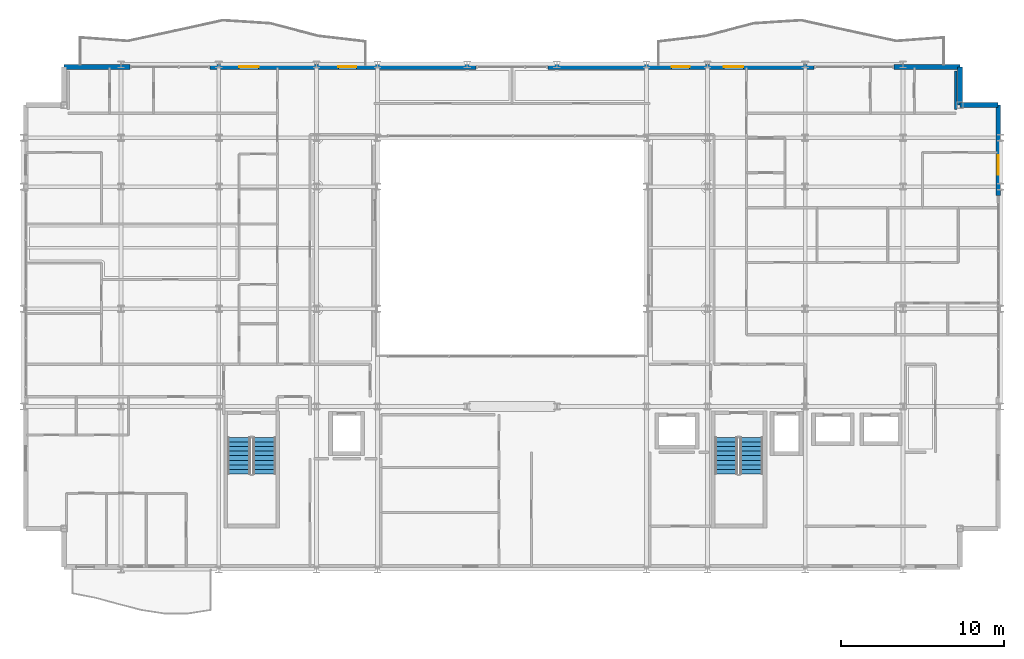
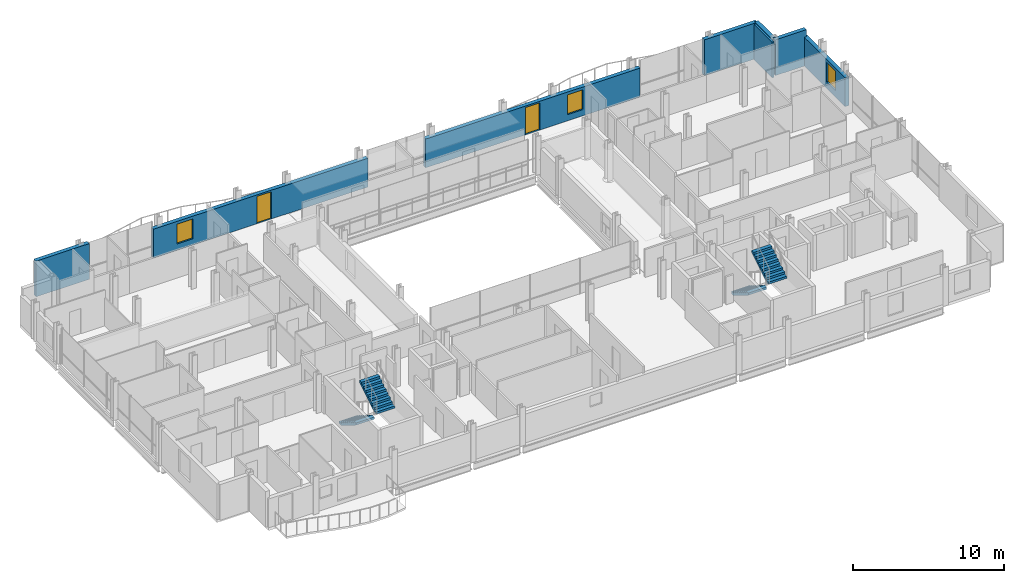
# One storey, part 38 of 41: 8 walls, 4 stair flights, 3 windows, 2 doors, 5 openings, 2 elements without a shape of their own.
"""IFC4 building model written with IfcOpenShell, lengths in metres."""

from ifc_helpers import new_model, si_unit, direction, frame, frame_2d, origin, place, context, subcontext, project, spatial, polyline, rectangle, outline, extrude, material, layer, layer_set, type_object, element, fill, aggregate, save


model = new_model("IFC4")

# Units and contexts
model_context = context("Model", 3, precision=1e-05, world=origin(), true_north=direction((0.0, 1.0)))
body_context = subcontext(model_context, "Body", "Model", "MODEL_VIEW")
ifc_project = project(units=[si_unit("LENGTHUNIT", "METRE"), si_unit("AREAUNIT", "SQUARE_METRE"), si_unit("VOLUMEUNIT", "CUBIC_METRE"), si_unit("PLANEANGLEUNIT", "RADIAN"), si_unit("MASSUNIT", "GRAM", prefix="KILO")], contexts=[model_context])

# Site, building, storey
site_placement = place(None, origin())
site = spatial("IfcSite", under=ifc_project, at=site_placement, CompositionType="ELEMENT")
building_placement = place(site_placement, origin())
building = spatial("IfcBuilding", under=site, at=building_placement, Name="Brevholm Reach", CompositionType="ELEMENT")
storey_placement = place(building_placement, frame((0.0, 0.0, 163.5)))
storey = spatial("IfcBuildingStorey", under=building, at=storey_placement, Name="L49", CompositionType="ELEMENT", Elevation=163.5)

# Walls
ifc_material_1 = material(Name="Concrete C40/50", Category="concrete")
ifc_layer_1 = layer(ifc_material_1, 0.300048828125)
ifc_layer_set_1 = layer_set([ifc_layer_1], Name="Concrete C40/50")
wall_type_1 = type_object("IfcWallType", Name="WAL-EXT-300", PredefinedType="STANDARD", material=ifc_layer_set_1)
for number, where, z_axis, x_axis, name in (
    (1, (59.85009765625, 28.5, 0.0), (0.0, 0.0, 1.0), (-1.0, 0.0, 0.0), "L49 Facade Wall WAL-L49-CNE1"),
    (2, (57.5, 28.5, 0.0), (0.0, 0.0, 1.0), (0.0, 1.0, 0.0), "L49 Facade Wall WAL-L49-CNE2"),
):
    element("IfcWall", number, at=place(storey_placement, frame(where, z_axis=z_axis, x_axis=x_axis)), inside=storey, type_object=wall_type_1, Name=name, PredefinedType="STANDARD", context=body_context, shape_type="SweptSolid", body=[
        extrude(rectangle(XDim=2.35009765625, YDim=0.300048828125, at=frame_2d((1.175048828125, 0.0))), origin(), (0.0, 0.0, 1.0), 2.8798828125),
    ])

# Wall, opening, window
wall_1_placement = place(storey_placement, frame((59.85009765625, 22.949951171875, 0.0), z_axis=(0.0, 0.0, 1.0), x_axis=(0.0, 1.0, 0.0)))
wall_1 = element("IfcWall", 3, at=wall_1_placement, inside=storey, type_object=wall_type_1, Name="L49 Facade Wall WAL-L49-E-N", PredefinedType="STANDARD", context=body_context, shape_type="SweptSolid", body=[
    extrude(rectangle(XDim=5.550048828125, YDim=0.300048828125, at=frame_2d((2.77490234375, 0.0))), origin(), (0.0, 0.0, 1.0), 2.322021484375),
])
opening_1_placement = place(wall_1_placement, frame((1.27001953125, 0.0, 0.501953125)))
opening_1 = element("IfcOpeningElement", 4, at=opening_1_placement, cuts=wall_1, Name="Opening WN-08", PredefinedType="OPENING", context=body_context, shape_type="SweptSolid", body=[
    extrude(rectangle(XDim=1.199951171875, YDim=1.60009765625, at=frame_2d((0.60009765625, 0.800048828125))), frame((0.0, 0.159912109375, 0.0), z_axis=(0.0, -1.0, 0.0), x_axis=(1.0, 0.0, 0.0)), (0.0, 0.0, 1.0), 0.320068359375),
])
ifc_material_2 = material(Name="Dark Anodised Aluminium and Solar-Control IGU Glass", Category="aluminium")
window_type = type_object("IfcWindowType", Name="WIN-RES-1200", PartitioningType="SINGLE_PANEL", PredefinedType="WINDOW", material=ifc_material_2)
window_1_placement = place(opening_1_placement, origin())
window_1 = element("IfcWindow", 5, at=window_1_placement, inside=storey, type_object=window_type, Name="L49 Window WIN-L49-EN-1", OverallHeight=1.60009765625, OverallWidth=1.199951171875, PartitioningType="SINGLE_PANEL", PredefinedType="WINDOW", context=body_context, shape_type="SweptSolid", body=[
    extrude(rectangle(XDim=1.199951171875, YDim=1.60009765625, at=frame_2d((0.60009765625, 0.800048828125))), frame((0.0, 0.030029296875, 0.0), z_axis=(0.0, -1.0, 0.0), x_axis=(1.0, 0.0, 0.0)), (0.0, 0.0, 1.0), 0.06005859375),
])
fill(opening_1, window_1)

# Walls
for number, where, z_axis, x_axis, name in (
    (6, (2.5, 30.85009765625, 0.0), (0.0, 0.0, 1.0), (1.0, 0.0, 0.0), "L49 Facade Wall WAL-L49-NP-W0"),
    (7, (53.449951171875, 30.85009765625, 0.0), (0.0, 0.0, 1.0), (1.0, 0.0, 0.0), "L49 Facade Wall WAL-L49-NP-E0"),
):
    element("IfcWall", number, at=place(storey_placement, frame(where, z_axis=z_axis, x_axis=x_axis)), inside=storey, type_object=wall_type_1, Name=name, PredefinedType="STANDARD", context=body_context, shape_type="SweptSolid", body=[
        extrude(rectangle(XDim=4.050048828125, YDim=0.300048828125, at=frame_2d((2.02490234375, 0.0))), origin(), (0.0, 0.0, 1.0), 2.8798828125),
    ])

# Wall, openings, door, window
wall_2_placement = place(storey_placement, frame((11.449951171875, 30.85009765625, 0.0), z_axis=(0.0, 0.0, 1.0), x_axis=(1.0, 0.0, 0.0)))
wall_2 = element("IfcWall", 8, at=wall_2_placement, inside=storey, type_object=wall_type_1, Name="L49 Facade Wall WAL-L49-NP-WL", PredefinedType="STANDARD", context=body_context, shape_type="SweptSolid", body=[
    extrude(rectangle(XDim=16.35009765625, YDim=0.300048828125, at=frame_2d((8.175048828125, 0.0))), origin(), (0.0, 0.0, 1.0), 2.322021484375),
])
opening_2_placement = place(wall_2_placement, frame((7.89794921875, 0.0, 0.0)))
opening_2 = element("IfcOpeningElement", 9, at=opening_2_placement, cuts=wall_2, Name="Opening BD-01", PredefinedType="OPENING", context=body_context, shape_type="SweptSolid", body=[
    extrude(rectangle(XDim=1.10009765625, YDim=2.199951171875, at=frame_2d((0.550048828125, 1.10009765625))), frame((0.0, 0.159912109375, 0.0), z_axis=(0.0, -1.0, 0.0), x_axis=(1.0, 0.0, 0.0)), (0.0, 0.0, 1.0), 0.320068359375),
])
opening_3_placement = place(wall_2_placement, frame((1.800048828125, 0.0, 0.501953125)))
opening_3 = element("IfcOpeningElement", 10, at=opening_3_placement, cuts=wall_2, Name="Opening WN-08", PredefinedType="OPENING", context=body_context, shape_type="SweptSolid", body=[
    extrude(rectangle(XDim=1.199951171875, YDim=1.60009765625, at=frame_2d((0.60009765625, 0.800048828125))), frame((0.0, 0.159912109375, 0.0), z_axis=(0.0, -1.0, 0.0), x_axis=(1.0, 0.0, 0.0)), (0.0, 0.0, 1.0), 0.320068359375),
])
ifc_material_3 = material(Name="Dark Anodised Aluminium and Triple-Glazed Glass", Category="aluminium")
door_type = type_object("IfcDoorType", Name="DOR-BALC-1100", OperationType="NOTDEFINED", PredefinedType="DOOR", material=ifc_material_3)
door_1_placement = place(opening_2_placement, origin())
door_1 = element("IfcDoor", 11, at=door_1_placement, inside=storey, type_object=door_type, Name="L49 Exterior Door DOR-L49-BL-NW", OperationType="SINGLE_SWING_RIGHT", OverallHeight=2.199951171875, OverallWidth=1.10009765625, PredefinedType="DOOR", context=body_context, shape_type="SweptSolid", body=[
    extrude(rectangle(XDim=1.10009765625, YDim=2.199951171875, at=frame_2d((0.550048828125, 1.10009765625))), frame((0.0, 0.02490234375, 0.0), z_axis=(0.0, -1.0, 0.0), x_axis=(1.0, 0.0, 0.0)), (0.0, 0.0, 1.0), 0.050048828125),
])
fill(opening_2, door_1)
window_2_placement = place(opening_3_placement, origin())
window_2 = element("IfcWindow", 12, at=window_2_placement, inside=storey, type_object=window_type, Name="L49 Window WIN-L49-NP-WL1", OverallHeight=1.60009765625, OverallWidth=1.199951171875, PartitioningType="SINGLE_PANEL", PredefinedType="WINDOW", context=body_context, shape_type="SweptSolid", body=[
    extrude(rectangle(XDim=1.199951171875, YDim=1.60009765625, at=frame_2d((0.60009765625, 0.800048828125))), frame((0.0, 0.030029296875, 0.0), z_axis=(0.0, -1.0, 0.0), x_axis=(1.0, 0.0, 0.0)), (0.0, 0.0, 1.0), 0.06005859375),
])
fill(opening_3, window_2)

wall_3_placement = place(storey_placement, frame((32.199951171875, 30.85009765625, 0.0), z_axis=(0.0, 0.0, 1.0), x_axis=(1.0, 0.0, 0.0)))
wall_3 = element("IfcWall", 13, at=wall_3_placement, inside=storey, type_object=wall_type_1, Name="L49 Facade Wall WAL-L49-NP-ER", PredefinedType="STANDARD", context=body_context, shape_type="SweptSolid", body=[
    extrude(rectangle(XDim=16.35009765625, YDim=0.300048828125, at=frame_2d((8.175048828125, 0.0))), origin(), (0.0, 0.0, 1.0), 2.322021484375),
])
opening_4_placement = place(wall_3_placement, frame((7.60009765625, 0.0, 0.0)))
opening_4 = element("IfcOpeningElement", 14, at=opening_4_placement, cuts=wall_3, Name="Opening BD-01", PredefinedType="OPENING", context=body_context, shape_type="SweptSolid", body=[
    extrude(rectangle(XDim=1.10009765625, YDim=2.199951171875, at=frame_2d((0.550048828125, 1.10009765625))), frame((0.0, 0.159912109375, 0.0), z_axis=(0.0, -1.0, 0.0), x_axis=(1.0, 0.0, 0.0)), (0.0, 0.0, 1.0), 0.320068359375),
])
opening_5_placement = place(wall_3_placement, frame((10.800048828125, 0.0, 0.501953125)))
opening_5 = element("IfcOpeningElement", 15, at=opening_5_placement, cuts=wall_3, Name="Opening WN-08", PredefinedType="OPENING", context=body_context, shape_type="SweptSolid", body=[
    extrude(rectangle(XDim=1.199951171875, YDim=1.60009765625, at=frame_2d((0.60009765625, 0.800048828125))), frame((0.0, 0.159912109375, 0.0), z_axis=(0.0, -1.0, 0.0), x_axis=(1.0, 0.0, 0.0)), (0.0, 0.0, 1.0), 0.320068359375),
])
door_2_placement = place(opening_4_placement, origin())
door_2 = element("IfcDoor", 16, at=door_2_placement, inside=storey, type_object=door_type, Name="L49 Exterior Door DOR-L49-BL-NE", OperationType="SINGLE_SWING_LEFT", OverallHeight=2.199951171875, OverallWidth=1.10009765625, PredefinedType="DOOR", context=body_context, shape_type="SweptSolid", body=[
    extrude(rectangle(XDim=1.10009765625, YDim=2.199951171875, at=frame_2d((0.550048828125, 1.10009765625))), frame((0.0, 0.02490234375, 0.0), z_axis=(0.0, -1.0, 0.0), x_axis=(1.0, 0.0, 0.0)), (0.0, 0.0, 1.0), 0.050048828125),
])
fill(opening_4, door_2)
window_3_placement = place(opening_5_placement, origin())
window_3 = element("IfcWindow", 17, at=window_3_placement, inside=storey, type_object=window_type, Name="L49 Window WIN-L49-NP-ER1", OverallHeight=1.60009765625, OverallWidth=1.199951171875, PartitioningType="SINGLE_PANEL", PredefinedType="WINDOW", context=body_context, shape_type="SweptSolid", body=[
    extrude(rectangle(XDim=1.199951171875, YDim=1.60009765625, at=frame_2d((0.60009765625, 0.800048828125))), frame((0.0, 0.030029296875, 0.0), z_axis=(0.0, -1.0, 0.0), x_axis=(1.0, 0.0, 0.0)), (0.0, 0.0, 1.0), 0.06005859375),
])
fill(opening_5, window_3)

# Wall
ifc_material_4 = material(Name="Twin-Stud Acoustic Fire-Rated Gypsum Partition 140 mm", Category="gypsum")
ifc_layer_2 = layer(ifc_material_4, 0.139892578125)
ifc_layer_set_2 = layer_set([ifc_layer_2], Name="Twin-Stud Acoustic Fire-Rated Gypsum Partition 140 mm")
wall_type_2 = type_object("IfcWallType", Name="WAL-PRT-140", PredefinedType="PARTITIONING", material=ifc_layer_set_2)
wall_4_placement = place(storey_placement, frame((57.25, 28.239990234375, 0.0), z_axis=(0.0, 0.0, 1.0), x_axis=(0.0, 1.0, 0.0)))
element("IfcWall", 18, at=wall_4_placement, inside=storey, type_object=wall_type_2, Name="L49 Internal Partition 133", PredefinedType="PARTITIONING", context=body_context, shape_type="SweptSolid", body=[
    extrude(rectangle(XDim=2.3701171875, YDim=0.139892578125, at=frame_2d((1.18505859375, 0.0))), origin(), (0.0, 0.0, 1.0), 2.8798828125),
])

# Stair, stair flights
ifc_material_5 = material(Name="Precast Concrete C40/50", Category="concrete")
stair_type = type_object("IfcStairType", Name="STR-ESC-1400", PredefinedType="DOUBLE_RETURN_STAIR", material=ifc_material_5)
stair_1_placement = place(storey_placement, origin())
stair_1 = element("IfcStair", 19, at=stair_1_placement, inside=storey, type_object=stair_type, Name="L49 ST-1", PredefinedType="DOUBLE_RETURN_STAIR")
ifc_material_6 = material(Name="Precast Concrete C40/50", Category="concrete")
ifc_layer_3 = layer(ifc_material_6, 0.18505859375)
ifc_layer_set_3 = layer_set([ifc_layer_3], Name="Precast Concrete C40/50")
stair_flight_type = type_object("IfcStairFlightType", Name="STF-PRC-185", PredefinedType="STRAIGHT", material=ifc_layer_set_3)
stair_flight_1_placement = place(storey_placement, frame((13.25, 8.10009765625, 0.0), z_axis=(0.0, 0.0, 1.0), x_axis=(0.0, -1.0, 0.0)))
stair_flight_1 = element("IfcStairFlight", 20, at=stair_flight_1_placement, type_object=stair_flight_type, Name="ST-1 flight 1", NumberOfRisers=9, NumberOfTreads=8, PredefinedType="STRAIGHT", RiserHeight=0.172222222, TreadLength=0.28, context=body_context, shape_type="SweptSolid", body=[
    extrude(outline(polyline([(0.0, 0.0), (0.0, 0.172119140625), (0.280029296875, 0.172119140625), (0.280029296875, 0.344482421875), (0.56005859375, 0.344482421875), (0.56005859375, 0.5166015625), (0.840087890625, 0.5166015625), (0.840087890625, 0.68896484375), (1.1201171875, 0.68896484375), (1.1201171875, 0.861083984375), (1.39990234375, 0.861083984375), (1.39990234375, 1.033447265625), (1.679931640625, 1.033447265625), (1.679931640625, 1.20556640625), (1.9599609375, 1.20556640625), (1.9599609375, 1.377685546875), (2.239990234375, 1.377685546875), (2.239990234375, 1.550048828125), (2.239990234375, 1.201904296875), (0.2861328125, 0.0), (0.0, 0.0)])), frame((0.0, 0.699951171875, 0.0), z_axis=(0.0, -1.0, 0.0), x_axis=(1.0, 0.0, 0.0)), (0.0, 0.0, 1.0), 1.39990234375),
])
stair_flight_2_placement = place(storey_placement, frame((14.800048828125, 5.860107421875, 1.550048828125), z_axis=(0.0, 0.0, 1.0), x_axis=(0.0, 1.0, 0.0)))
stair_flight_2 = element("IfcStairFlight", 21, at=stair_flight_2_placement, type_object=stair_flight_type, Name="ST-1 flight 2", NumberOfRisers=9, NumberOfTreads=8, PredefinedType="STRAIGHT", RiserHeight=0.172222222, TreadLength=0.28, context=body_context, shape_type="SweptSolid", body=[
    extrude(outline(polyline([(0.0, 0.0), (0.0, 0.172119140625), (0.280029296875, 0.172119140625), (0.280029296875, 0.344482421875), (0.56005859375, 0.344482421875), (0.56005859375, 0.5166015625), (0.840087890625, 0.5166015625), (0.840087890625, 0.68896484375), (1.1201171875, 0.68896484375), (1.1201171875, 0.861083984375), (1.39990234375, 0.861083984375), (1.39990234375, 1.033447265625), (1.679931640625, 1.033447265625), (1.679931640625, 1.20556640625), (1.9599609375, 1.20556640625), (1.9599609375, 1.377685546875), (2.239990234375, 1.377685546875), (2.239990234375, 1.550048828125), (2.239990234375, 1.201904296875), (0.2861328125, 0.0), (0.0, 0.0)])), frame((0.0, 0.699951171875, 0.0), z_axis=(0.0, -1.0, 0.0), x_axis=(1.0, 0.0, 0.0)), (0.0, 0.0, 1.0), 1.39990234375),
])
aggregate(stair_1, [stair_flight_1, stair_flight_2])

stair_2_placement = place(storey_placement, origin())
stair_2 = element("IfcStair", 22, at=stair_2_placement, inside=storey, type_object=stair_type, Name="L49 ST-2", PredefinedType="DOUBLE_RETURN_STAIR")
stair_flight_3_placement = place(storey_placement, frame((43.14990234375, 8.10009765625, 0.0), z_axis=(0.0, 0.0, 1.0), x_axis=(0.0, -1.0, 0.0)))
stair_flight_3 = element("IfcStairFlight", 23, at=stair_flight_3_placement, type_object=stair_flight_type, Name="ST-2 flight 1", NumberOfRisers=9, NumberOfTreads=8, PredefinedType="STRAIGHT", RiserHeight=0.172222222, TreadLength=0.28, context=body_context, shape_type="SweptSolid", body=[
    extrude(outline(polyline([(0.0, 0.0), (0.0, 0.172119140625), (0.280029296875, 0.172119140625), (0.280029296875, 0.344482421875), (0.56005859375, 0.344482421875), (0.56005859375, 0.5166015625), (0.840087890625, 0.5166015625), (0.840087890625, 0.68896484375), (1.1201171875, 0.68896484375), (1.1201171875, 0.861083984375), (1.39990234375, 0.861083984375), (1.39990234375, 1.033447265625), (1.679931640625, 1.033447265625), (1.679931640625, 1.20556640625), (1.9599609375, 1.20556640625), (1.9599609375, 1.377685546875), (2.239990234375, 1.377685546875), (2.239990234375, 1.550048828125), (2.239990234375, 1.201904296875), (0.2861328125, 0.0), (0.0, 0.0)])), frame((0.0, 0.699951171875, 0.0), z_axis=(0.0, -1.0, 0.0), x_axis=(1.0, 0.0, 0.0)), (0.0, 0.0, 1.0), 1.39990234375),
])
stair_flight_4_placement = place(storey_placement, frame((44.699951171875, 5.860107421875, 1.550048828125), z_axis=(0.0, 0.0, 1.0), x_axis=(0.0, 1.0, 0.0)))
stair_flight_4 = element("IfcStairFlight", 24, at=stair_flight_4_placement, type_object=stair_flight_type, Name="ST-2 flight 2", NumberOfRisers=9, NumberOfTreads=8, PredefinedType="STRAIGHT", RiserHeight=0.172222222, TreadLength=0.28, context=body_context, shape_type="SweptSolid", body=[
    extrude(outline(polyline([(0.0, 0.0), (0.0, 0.172119140625), (0.280029296875, 0.172119140625), (0.280029296875, 0.344482421875), (0.56005859375, 0.344482421875), (0.56005859375, 0.5166015625), (0.840087890625, 0.5166015625), (0.840087890625, 0.68896484375), (1.1201171875, 0.68896484375), (1.1201171875, 0.861083984375), (1.39990234375, 0.861083984375), (1.39990234375, 1.033447265625), (1.679931640625, 1.033447265625), (1.679931640625, 1.20556640625), (1.9599609375, 1.20556640625), (1.9599609375, 1.377685546875), (2.239990234375, 1.377685546875), (2.239990234375, 1.550048828125), (2.239990234375, 1.201904296875), (0.2861328125, 0.0), (0.0, 0.0)])), frame((0.0, 0.699951171875, 0.0), z_axis=(0.0, -1.0, 0.0), x_axis=(1.0, 0.0, 0.0)), (0.0, 0.0, 1.0), 1.39990234375),
])
aggregate(stair_2, [stair_flight_3, stair_flight_4])

save(model, "model.ifc")
